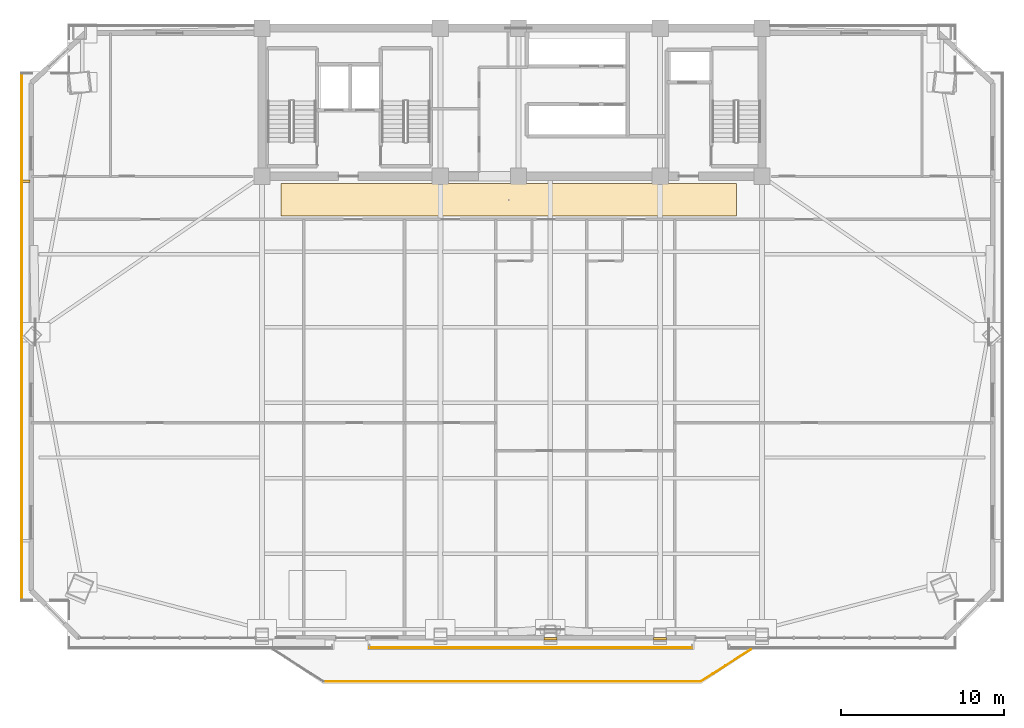
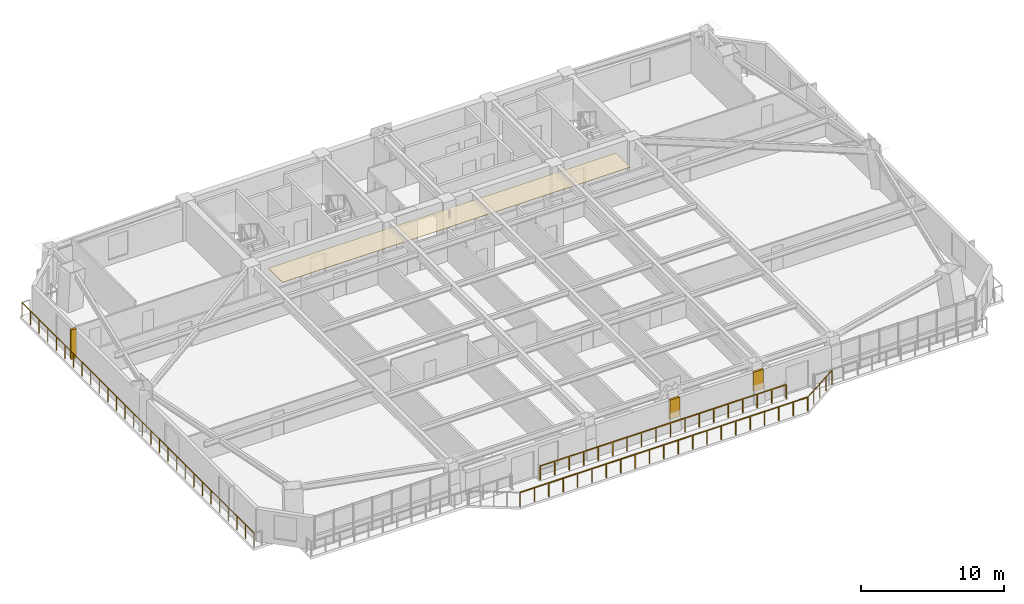
# One storey, part 13 of 16: 4 railings, 3 coverings, 1 shading device.
"""IFC4 building model written with IfcOpenShell, lengths in metres."""

from ifc_helpers import new_model, si_unit, direction, frame, origin, origin_2d, place, context, subcontext, project, spatial, polyline, rectangle, outline, extrude, source, transform, mapped, material, layer, layer_set, type_object, element, save


model = new_model("IFC4")

# Units and contexts
model_context = context("Model", 3, precision=1e-05, world=origin(), true_north=direction((0.0, 1.0)))
body_context = subcontext(model_context, "Body", "Model", "MODEL_VIEW")
ifc_project = project(units=[si_unit("LENGTHUNIT", "METRE"), si_unit("AREAUNIT", "SQUARE_METRE"), si_unit("VOLUMEUNIT", "CUBIC_METRE"), si_unit("PLANEANGLEUNIT", "RADIAN"), si_unit("MASSUNIT", "GRAM", prefix="KILO")], contexts=[model_context])

# Site, building, storey
site_placement = place(None, origin())
site = spatial("IfcSite", under=ifc_project, at=site_placement, CompositionType="ELEMENT")
building_placement = place(site_placement, origin())
building = spatial("IfcBuilding", under=site, at=building_placement, Name="Giltprow Tower", CompositionType="ELEMENT")
storey_placement = place(building_placement, frame((0.0, 0.0, 166.699951171875)))
storey = spatial("IfcBuildingStorey", under=building, at=storey_placement, Name="L41", CompositionType="ELEMENT", Elevation=166.699951171875)

# Coverings
ifc_material_1 = material(Name="Painted gypsum board", Category="gypsum")
ifc_layer_1 = layer(ifc_material_1, 0.030029296875, Name="Painted gypsum board")
ifc_layer_set_1 = layer_set([ifc_layer_1], Name="Painted gypsum board")
covering_type_1 = type_object("IfcCoveringType", Name="COV-CLG-GYPSUM", PredefinedType="CEILING", material=ifc_layer_set_1)
covering_1_placement = place(storey_placement, frame((0.0, 0.0, 2.6201171875)))
element("IfcCovering", 1, at=covering_1_placement, inside=storey, type_object=covering_type_1, Name="L41 Hotel Corridor Gypsum Ceiling", PredefinedType="CEILING", context=body_context, shape_type="SweptSolid", body=[
    extrude(outline(polyline([(21.0, 35.0), (49.0, 35.0), (49.0, 37.0), (21.0, 37.0), (21.0, 35.0)])), origin(), (0.0, 0.0, 1.0), 0.030029296875),
])
ifc_material_2 = material(Name="Anodized bronze", Category="metal")
ifc_layer_2 = layer(ifc_material_2, 0.0400390625, Name="Anodized bronze")
ifc_layer_set_2 = layer_set([ifc_layer_2], Name="Anodized bronze")
covering_type_2 = type_object("IfcCoveringType", Name="COV-SOFFIT-BRONZE", PredefinedType="CLADDING", material=ifc_layer_set_2)
covering_2_placement = place(storey_placement, frame((0.0, 0.0, 1.10009765625)))
element("IfcCovering", 2, at=covering_2_placement, inside=storey, type_object=covering_type_2, Name="L41 Setback Pier Closure Cladding S-3", PredefinedType="CLADDING", context=body_context, shape_type="SweptSolid", body=[
    extrude(outline(polyline([(37.14990234375, 8.9580078125), (37.949951171875, 8.9580078125), (37.949951171875, 9.117919921875), (37.14990234375, 9.117919921875), (37.14990234375, 8.9580078125)])), origin(), (0.0, 0.0, 1.0), 1.64990234375),
])
covering_3_placement = place(storey_placement, frame((0.0, 0.0, 1.10009765625)))
element("IfcCovering", 3, at=covering_3_placement, inside=storey, type_object=covering_type_2, Name="L41 Setback Pier Closure Cladding S-4", PredefinedType="CLADDING", context=body_context, shape_type="SweptSolid", body=[
    extrude(outline(polyline([(43.89990234375, 8.9580078125), (44.699951171875, 8.9580078125), (44.699951171875, 9.117919921875), (43.89990234375, 9.117919921875), (43.89990234375, 8.9580078125)])), origin(), (0.0, 0.0, 1.0), 1.64990234375),
])

# Railings
railing_type = type_object("IfcRailingType", Name="RAIL-BALC-GUARD-1200", PredefinedType="BALUSTRADE", material=ifc_material_2)
railing_1_placement = place(storey_placement, frame((23.6201171875, 6.41796875, 0.0)))
element("IfcRailing", 4, at=railing_1_placement, inside=storey, type_object=railing_type, Name="L41 Waterfront Balcony Balustrade Seg 2", PredefinedType="BALUSTRADE", context=body_context, shape_type="SweptSolid", body=[
    extrude(rectangle(XDim=0.048095703125, YDim=0.048095703125, at=origin_2d()), frame((0.0, 0.0, 1.17578125), z_axis=(1.0, 0.0, 0.0), x_axis=(0.0, 1.0, 0.0)), (0.0, 0.0, 1.0), 23.159912109375),
    extrude(rectangle(XDim=0.0419921875, YDim=0.0419921875, at=origin_2d()), origin(), (0.0, 0.0, 1.0), 1.15185546875),
    extrude(rectangle(XDim=0.0419921875, YDim=0.0419921875, at=origin_2d()), frame((1.157958984375, 0.0, 0.0)), (0.0, 0.0, 1.0), 1.15185546875),
    extrude(rectangle(XDim=0.0419921875, YDim=0.0419921875, at=origin_2d()), frame((2.31591796875, 0.0, 0.0)), (0.0, 0.0, 1.0), 1.15185546875),
    extrude(rectangle(XDim=0.0419921875, YDim=0.0419921875, at=origin_2d()), frame((3.473876953125, 0.0, 0.0)), (0.0, 0.0, 1.0), 1.15185546875),
    extrude(rectangle(XDim=0.0419921875, YDim=0.0419921875, at=origin_2d()), frame((4.632080078125, 0.0, 0.0)), (0.0, 0.0, 1.0), 1.15185546875),
    extrude(rectangle(XDim=0.0419921875, YDim=0.0419921875, at=origin_2d()), frame((5.7900390625, 0.0, 0.0)), (0.0, 0.0, 1.0), 1.15185546875),
    extrude(rectangle(XDim=0.0419921875, YDim=0.0419921875, at=origin_2d()), frame((6.947998046875, 0.0, 0.0)), (0.0, 0.0, 1.0), 1.15185546875),
    extrude(rectangle(XDim=0.0419921875, YDim=0.0419921875, at=origin_2d()), frame((8.10595703125, 0.0, 0.0)), (0.0, 0.0, 1.0), 1.15185546875),
    extrude(rectangle(XDim=0.0419921875, YDim=0.0419921875, at=origin_2d()), frame((9.263916015625, 0.0, 0.0)), (0.0, 0.0, 1.0), 1.15185546875),
    extrude(rectangle(XDim=0.0419921875, YDim=0.0419921875, at=origin_2d()), frame((10.421875, 0.0, 0.0)), (0.0, 0.0, 1.0), 1.15185546875),
    extrude(rectangle(XDim=0.0419921875, YDim=0.0419921875, at=origin_2d()), frame((11.580078125, 0.0, 0.0)), (0.0, 0.0, 1.0), 1.15185546875),
    extrude(rectangle(XDim=0.0419921875, YDim=0.0419921875, at=origin_2d()), frame((12.738037109375, 0.0, 0.0)), (0.0, 0.0, 1.0), 1.15185546875),
    extrude(rectangle(XDim=0.0419921875, YDim=0.0419921875, at=origin_2d()), frame((13.89599609375, 0.0, 0.0)), (0.0, 0.0, 1.0), 1.15185546875),
    extrude(rectangle(XDim=0.0419921875, YDim=0.0419921875, at=origin_2d()), frame((15.053955078125, 0.0, 0.0)), (0.0, 0.0, 1.0), 1.15185546875),
    extrude(rectangle(XDim=0.0419921875, YDim=0.0419921875, at=origin_2d()), frame((16.2119140625, 0.0, 0.0)), (0.0, 0.0, 1.0), 1.15185546875),
    extrude(rectangle(XDim=0.0419921875, YDim=0.0419921875, at=origin_2d()), frame((17.369873046875, 0.0, 0.0)), (0.0, 0.0, 1.0), 1.15185546875),
    extrude(rectangle(XDim=0.0419921875, YDim=0.0419921875, at=origin_2d()), frame((18.52783203125, 0.0, 0.0)), (0.0, 0.0, 1.0), 1.15185546875),
    extrude(rectangle(XDim=0.0419921875, YDim=0.0419921875, at=origin_2d()), frame((19.68603515625, 0.0, 0.0)), (0.0, 0.0, 1.0), 1.15185546875),
    extrude(rectangle(XDim=0.0419921875, YDim=0.0419921875, at=origin_2d()), frame((20.843994140625, 0.0, 0.0)), (0.0, 0.0, 1.0), 1.15185546875),
    extrude(rectangle(XDim=0.0419921875, YDim=0.0419921875, at=origin_2d()), frame((22.001953125, 0.0, 0.0)), (0.0, 0.0, 1.0), 1.15185546875),
    extrude(rectangle(XDim=0.0419921875, YDim=0.0419921875, at=origin_2d()), frame((23.159912109375, 0.0, 0.0)), (0.0, 0.0, 1.0), 1.15185546875),
])
railing_2_placement = place(storey_placement, frame((46.780029296875, 6.41796875, 0.0)))
element("IfcRailing", 5, at=railing_2_placement, inside=storey, type_object=railing_type, Name="L41 Waterfront Balcony Balustrade Seg 3", PredefinedType="BALUSTRADE", context=body_context, shape_type="SweptSolid", body=[
    extrude(rectangle(XDim=0.048095703125, YDim=0.048095703125, at=origin_2d()), frame((0.0, 0.0, 1.17578125), z_axis=(0.842755646126, 0.538296313309, 0.0), x_axis=(-0.538296313309, 0.842755646126, 0.0)), (0.0, 0.0, 1.0), 3.67822265625),
    extrude(rectangle(XDim=0.0419921875, YDim=0.0419921875, at=origin_2d()), origin(), (0.0, 0.0, 1.0), 1.15185546875),
    extrude(rectangle(XDim=0.0419921875, YDim=0.0419921875, at=origin_2d()), frame((0.77490234375, 0.4951171875, 0.0)), (0.0, 0.0, 1.0), 1.15185546875),
    extrude(rectangle(XDim=0.0419921875, YDim=0.0419921875, at=origin_2d()), frame((1.5498046875, 0.989990234375, 0.0)), (0.0, 0.0, 1.0), 1.15185546875),
    extrude(rectangle(XDim=0.0419921875, YDim=0.0419921875, at=origin_2d()), frame((2.324951171875, 1.48486328125, 0.0)), (0.0, 0.0, 1.0), 1.15185546875),
    extrude(rectangle(XDim=0.0419921875, YDim=0.0419921875, at=origin_2d()), frame((3.099853515625, 1.97998046875, 0.0)), (0.0, 0.0, 1.0), 1.15185546875),
])
railing_3_placement = place(storey_placement, frame((5.083984375, 11.410888671875, 0.0)))
element("IfcRailing", 6, at=railing_3_placement, inside=storey, type_object=railing_type, Name="L41 Corner Apron Edge Balustrade 5", PredefinedType="BALUSTRADE", context=body_context, shape_type="SweptSolid", body=[
    extrude(rectangle(XDim=0.048095703125, YDim=0.048095703125, at=origin_2d()), frame((0.0, 0.0, 1.17578125), z_axis=(0.0, 1.0, 0.0), x_axis=(-1.0, 0.0, 0.0)), (0.0, 0.0, 1.0), 32.376220703125),
    extrude(rectangle(XDim=0.0419921875, YDim=0.0419921875, at=origin_2d()), origin(), (0.0, 0.0, 1.0), 1.15185546875),
    extrude(rectangle(XDim=0.0419921875, YDim=0.0419921875, at=origin_2d()), frame((0.0, 1.19921875, 0.0)), (0.0, 0.0, 1.0), 1.15185546875),
    extrude(rectangle(XDim=0.0419921875, YDim=0.0419921875, at=origin_2d()), frame((0.0, 2.398193359375, 0.0)), (0.0, 0.0, 1.0), 1.15185546875),
    extrude(rectangle(XDim=0.0419921875, YDim=0.0419921875, at=origin_2d()), frame((0.0, 3.597412109375, 0.0)), (0.0, 0.0, 1.0), 1.15185546875),
    extrude(rectangle(XDim=0.0419921875, YDim=0.0419921875, at=origin_2d()), frame((0.0, 4.79638671875, 0.0)), (0.0, 0.0, 1.0), 1.15185546875),
    extrude(rectangle(XDim=0.0419921875, YDim=0.0419921875, at=origin_2d()), frame((0.0, 5.99560546875, 0.0)), (0.0, 0.0, 1.0), 1.15185546875),
    extrude(rectangle(XDim=0.0419921875, YDim=0.0419921875, at=origin_2d()), frame((0.0, 7.19482421875, 0.0)), (0.0, 0.0, 1.0), 1.15185546875),
    extrude(rectangle(XDim=0.0419921875, YDim=0.0419921875, at=origin_2d()), frame((0.0, 8.393798828125, 0.0)), (0.0, 0.0, 1.0), 1.15185546875),
    extrude(rectangle(XDim=0.0419921875, YDim=0.0419921875, at=origin_2d()), frame((0.0, 9.593017578125, 0.0)), (0.0, 0.0, 1.0), 1.15185546875),
    extrude(rectangle(XDim=0.0419921875, YDim=0.0419921875, at=origin_2d()), frame((0.0, 10.7919921875, 0.0)), (0.0, 0.0, 1.0), 1.15185546875),
    extrude(rectangle(XDim=0.0419921875, YDim=0.0419921875, at=origin_2d()), frame((0.0, 11.9912109375, 0.0)), (0.0, 0.0, 1.0), 1.15185546875),
    extrude(rectangle(XDim=0.0419921875, YDim=0.0419921875, at=origin_2d()), frame((0.0, 13.1904296875, 0.0)), (0.0, 0.0, 1.0), 1.15185546875),
    extrude(rectangle(XDim=0.0419921875, YDim=0.0419921875, at=origin_2d()), frame((0.0, 14.389404296875, 0.0)), (0.0, 0.0, 1.0), 1.15185546875),
    extrude(rectangle(XDim=0.0419921875, YDim=0.0419921875, at=origin_2d()), frame((0.0, 15.588623046875, 0.0)), (0.0, 0.0, 1.0), 1.15185546875),
    extrude(rectangle(XDim=0.0419921875, YDim=0.0419921875, at=origin_2d()), frame((0.0, 16.78759765625, 0.0)), (0.0, 0.0, 1.0), 1.15185546875),
    extrude(rectangle(XDim=0.0419921875, YDim=0.0419921875, at=origin_2d()), frame((0.0, 17.98681640625, 0.0)), (0.0, 0.0, 1.0), 1.15185546875),
    extrude(rectangle(XDim=0.0419921875, YDim=0.0419921875, at=origin_2d()), frame((0.0, 19.185791015625, 0.0)), (0.0, 0.0, 1.0), 1.15185546875),
    extrude(rectangle(XDim=0.0419921875, YDim=0.0419921875, at=origin_2d()), frame((0.0, 20.385009765625, 0.0)), (0.0, 0.0, 1.0), 1.15185546875),
    extrude(rectangle(XDim=0.0419921875, YDim=0.0419921875, at=origin_2d()), frame((0.0, 21.584228515625, 0.0)), (0.0, 0.0, 1.0), 1.15185546875),
    extrude(rectangle(XDim=0.0419921875, YDim=0.0419921875, at=origin_2d()), frame((0.0, 22.783203125, 0.0)), (0.0, 0.0, 1.0), 1.15185546875),
    extrude(rectangle(XDim=0.0419921875, YDim=0.0419921875, at=origin_2d()), frame((0.0, 23.982421875, 0.0)), (0.0, 0.0, 1.0), 1.15185546875),
    extrude(rectangle(XDim=0.0419921875, YDim=0.0419921875, at=origin_2d()), frame((0.0, 25.181396484375, 0.0)), (0.0, 0.0, 1.0), 1.15185546875),
    extrude(rectangle(XDim=0.0419921875, YDim=0.0419921875, at=origin_2d()), frame((0.0, 26.380615234375, 0.0)), (0.0, 0.0, 1.0), 1.15185546875),
    extrude(rectangle(XDim=0.0419921875, YDim=0.0419921875, at=origin_2d()), frame((0.0, 27.579833984375, 0.0)), (0.0, 0.0, 1.0), 1.15185546875),
    extrude(rectangle(XDim=0.0419921875, YDim=0.0419921875, at=origin_2d()), frame((0.0, 28.77880859375, 0.0)), (0.0, 0.0, 1.0), 1.15185546875),
    extrude(rectangle(XDim=0.0419921875, YDim=0.0419921875, at=origin_2d()), frame((0.0, 29.97802734375, 0.0)), (0.0, 0.0, 1.0), 1.15185546875),
    extrude(rectangle(XDim=0.0419921875, YDim=0.0419921875, at=origin_2d()), frame((0.0, 31.177001953125, 0.0)), (0.0, 0.0, 1.0), 1.15185546875),
    extrude(rectangle(XDim=0.0419921875, YDim=0.0419921875, at=origin_2d()), frame((0.0, 32.376220703125, 0.0)), (0.0, 0.0, 1.0), 1.15185546875),
])
railing_4_placement = place(storey_placement, frame((46.25, 8.498046875, 0.0)))
element("IfcRailing", 7, at=railing_4_placement, inside=storey, type_object=railing_type, Name="L41 Corner Apron Edge Balustrade 26", PredefinedType="BALUSTRADE", context=body_context, shape_type="SweptSolid", body=[
    extrude(rectangle(XDim=0.048095703125, YDim=0.048095703125, at=origin_2d()), frame((0.0, 0.0, 1.17578125), z_axis=(-1.0, 0.0, 0.0), x_axis=(0.0, -1.0, 0.0)), (0.0, 0.0, 1.0), 19.800048828125),
    extrude(rectangle(XDim=0.0419921875, YDim=0.0419921875, at=origin_2d()), origin(), (0.0, 0.0, 1.0), 1.15185546875),
    extrude(rectangle(XDim=0.0419921875, YDim=0.0419921875, at=origin_2d()), frame((-1.164794921875, 0.0, 0.0)), (0.0, 0.0, 1.0), 1.15185546875),
    extrude(rectangle(XDim=0.0419921875, YDim=0.0419921875, at=origin_2d()), frame((-2.329345703125, 0.0, 0.0)), (0.0, 0.0, 1.0), 1.15185546875),
    extrude(rectangle(XDim=0.0419921875, YDim=0.0419921875, at=origin_2d()), frame((-3.494140625, 0.0, 0.0)), (0.0, 0.0, 1.0), 1.15185546875),
    extrude(rectangle(XDim=0.0419921875, YDim=0.0419921875, at=origin_2d()), frame((-4.658935546875, 0.0, 0.0)), (0.0, 0.0, 1.0), 1.15185546875),
    extrude(rectangle(XDim=0.0419921875, YDim=0.0419921875, at=origin_2d()), frame((-5.823486328125, 0.0, 0.0)), (0.0, 0.0, 1.0), 1.15185546875),
    extrude(rectangle(XDim=0.0419921875, YDim=0.0419921875, at=origin_2d()), frame((-6.98828125, 0.0, 0.0)), (0.0, 0.0, 1.0), 1.15185546875),
    extrude(rectangle(XDim=0.0419921875, YDim=0.0419921875, at=origin_2d()), frame((-8.153076171875, 0.0, 0.0)), (0.0, 0.0, 1.0), 1.15185546875),
    extrude(rectangle(XDim=0.0419921875, YDim=0.0419921875, at=origin_2d()), frame((-9.317626953125, 0.0, 0.0)), (0.0, 0.0, 1.0), 1.15185546875),
    extrude(rectangle(XDim=0.0419921875, YDim=0.0419921875, at=origin_2d()), frame((-10.482421875, 0.0, 0.0)), (0.0, 0.0, 1.0), 1.15185546875),
    extrude(rectangle(XDim=0.0419921875, YDim=0.0419921875, at=origin_2d()), frame((-11.64697265625, 0.0, 0.0)), (0.0, 0.0, 1.0), 1.15185546875),
    extrude(rectangle(XDim=0.0419921875, YDim=0.0419921875, at=origin_2d()), frame((-12.811767578125, 0.0, 0.0)), (0.0, 0.0, 1.0), 1.15185546875),
    extrude(rectangle(XDim=0.0419921875, YDim=0.0419921875, at=origin_2d()), frame((-13.9765625, 0.0, 0.0)), (0.0, 0.0, 1.0), 1.15185546875),
    extrude(rectangle(XDim=0.0419921875, YDim=0.0419921875, at=origin_2d()), frame((-15.14111328125, 0.0, 0.0)), (0.0, 0.0, 1.0), 1.15185546875),
    extrude(rectangle(XDim=0.0419921875, YDim=0.0419921875, at=origin_2d()), frame((-16.305908203125, 0.0, 0.0)), (0.0, 0.0, 1.0), 1.15185546875),
    extrude(rectangle(XDim=0.0419921875, YDim=0.0419921875, at=origin_2d()), frame((-17.470703125, 0.0, 0.0)), (0.0, 0.0, 1.0), 1.15185546875),
    extrude(rectangle(XDim=0.0419921875, YDim=0.0419921875, at=origin_2d()), frame((-18.63525390625, 0.0, 0.0)), (0.0, 0.0, 1.0), 1.15185546875),
    extrude(rectangle(XDim=0.0419921875, YDim=0.0419921875, at=origin_2d()), frame((-19.800048828125, 0.0, 0.0)), (0.0, 0.0, 1.0), 1.15185546875),
])

# Shading device
shading_device_type = type_object("IfcShadingDeviceType", Name="SHD-FIN-420", PredefinedType="USERDEFINED", material=ifc_material_2)
shared_shape = source(origin(), body_context, "Body", "SweptSolid", [
    extrude(rectangle(XDim=0.419921875, YDim=0.159912109375, at=origin_2d()), origin(), (0.0, 0.0, 1.0), 2.5),
])
shading_device_placement = place(storey_placement, frame((5.384033203125, 37.158935546875, 0.35009765625), z_axis=(0.0, 0.0, 1.0), x_axis=(1.0, 0.0, 0.0)))
element("IfcShadingDevice", 8, at=shading_device_placement, inside=storey, type_object=shading_device_type, Name="L41 W Bronze Vertical Fin 2-1", ObjectType="FIN", PredefinedType="USERDEFINED", context=body_context, shape_type="MappedRepresentation", body=[
    mapped(shared_shape, transform((0.0, 0.0, 0.0), x_axis=(1.0, 0.0, 0.0), y_axis=(0.0, 1.0, 0.0), z_axis=(0.0, 0.0, 1.0), scale=1.0)),
])

save(model, "model.ifc")
